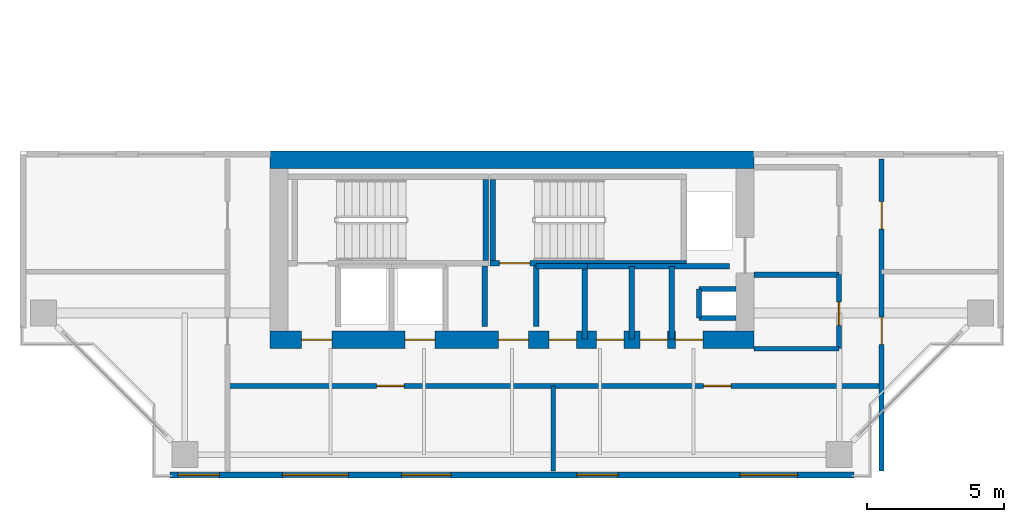
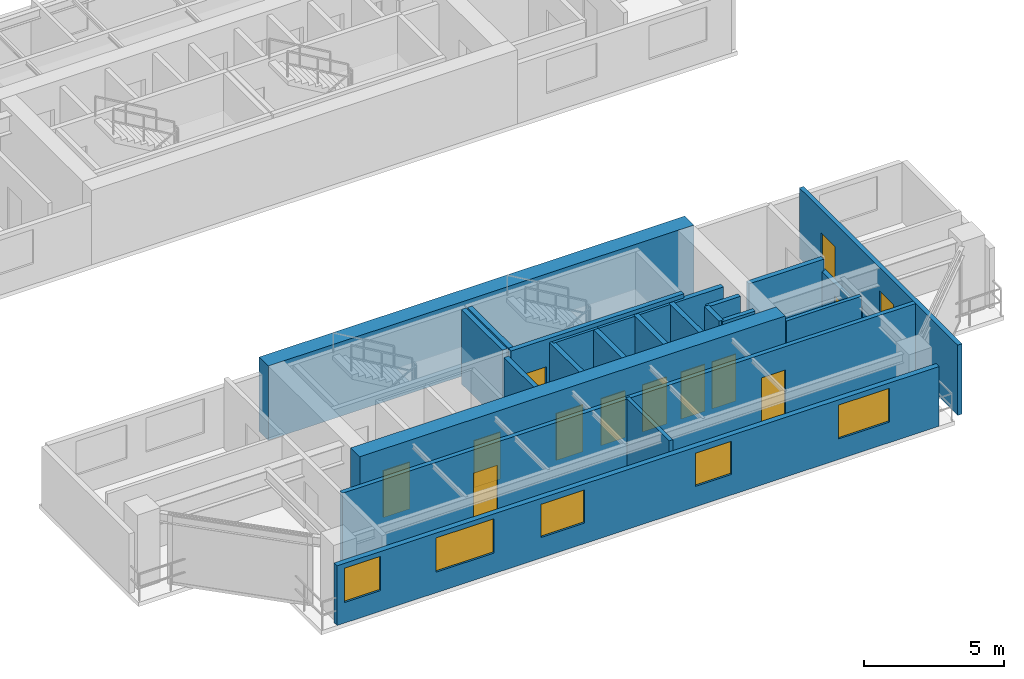
# One storey, part 7 of 12: 22 walls, 13 doors, 5 windows, 18 openings.
"""IFC4 building model written with IfcOpenShell, lengths in metres."""

from ifc_helpers import new_model, si_unit, direction, frame, frame_2d, origin, place, context, subcontext, project, spatial, rectangle, extrude, source, transform, mapped, material, layer, layer_set, type_object, element, fill, save


model = new_model("IFC4")

# Units and contexts
model_context = context("Model", 3, precision=1e-05, world=origin(), true_north=direction((0.0, 1.0)))
body_context = subcontext(model_context, "Body", "Model", "MODEL_VIEW")
ifc_project = project(units=[si_unit("LENGTHUNIT", "METRE"), si_unit("AREAUNIT", "SQUARE_METRE"), si_unit("VOLUMEUNIT", "CUBIC_METRE"), si_unit("PLANEANGLEUNIT", "RADIAN"), si_unit("MASSUNIT", "GRAM", prefix="KILO"), si_unit("THERMODYNAMICTEMPERATUREUNIT", "KELVIN"), si_unit("POWERUNIT", "WATT")], contexts=[model_context])

# Site, building, storey
site_placement = place(None, origin())
site = spatial("IfcSite", under=ifc_project, at=site_placement, CompositionType="ELEMENT")
building_placement = place(site_placement, origin())
building = spatial("IfcBuilding", under=site, at=building_placement, Name="Qiaomeng Ring Towers", CompositionType="ELEMENT")
storey_placement = place(building_placement, frame((0.0, 0.0, 163.25)))
storey = spatial("IfcBuildingStorey", under=building, at=storey_placement, Name="L47", CompositionType="ELEMENT", Elevation=163.25)

# Wall, openings, windows
ifc_material_1 = material(Name="Precast concrete C40", Category="concrete")
ifc_layer_1 = layer(ifc_material_1, 0.219970703125, Name="Precast concrete C40")
ifc_layer_set_1 = layer_set([ifc_layer_1], Name="Precast concrete C40")
wall_type_1 = type_object("IfcWallType", Name="ARC-WL-EW2", PredefinedType="STANDARD", material=ifc_layer_set_1)
wall_1_placement = place(storey_placement, frame((6.550048828125, 5.2099609375, 0.0), z_axis=(0.0, 0.0, 1.0), x_axis=(1.0, 0.0, 0.0)))
wall_1 = element("IfcWall", 1, at=wall_1_placement, inside=storey, type_object=wall_type_1, Name="L47 Tower 1 S Exterior Wall", PredefinedType="STANDARD", context=body_context, shape_type="SweptSolid", body=[
    extrude(rectangle(XDim=24.89990234375, YDim=0.219970703125, at=frame_2d((12.449951171875, 0.0))), origin(), (0.0, 0.0, 1.0), 2.610107421875),
])
opening_1_placement = place(wall_1_placement, frame((0.300048828125, 0.0, 0.89990234375)))
opening_1 = element("IfcOpeningElement", 2, at=opening_1_placement, cuts=wall_1, Name="Opening WN2", PredefinedType="OPENING", context=body_context, shape_type="SweptSolid", body=[
    extrude(rectangle(XDim=1.5, YDim=1.5, at=frame_2d((0.75, 0.75))), frame((0.0, 0.119873046875, 0.0), z_axis=(0.0, -1.0, 0.0), x_axis=(1.0, 0.0, 0.0)), (0.0, 0.0, 1.0), 0.239990234375),
])
opening_2_placement = place(wall_1_placement, frame((8.43798828125, 0.0, 0.89990234375)))
opening_2 = element("IfcOpeningElement", 3, at=opening_2_placement, cuts=wall_1, Name="Opening WN1", PredefinedType="OPENING", context=body_context, shape_type="SweptSolid", body=[
    extrude(rectangle(XDim=1.800048828125, YDim=1.449951171875, at=frame_2d((0.89990234375, 0.72509765625))), frame((0.0, 0.119873046875, 0.0), z_axis=(0.0, -1.0, 0.0), x_axis=(1.0, 0.0, 0.0)), (0.0, 0.0, 1.0), 0.239990234375),
])
opening_3_placement = place(wall_1_placement, frame((14.81298828125, 0.0, 0.89990234375)))
opening_3 = element("IfcOpeningElement", 4, at=opening_3_placement, cuts=wall_1, Name="Opening WN2", PredefinedType="OPENING", context=body_context, shape_type="SweptSolid", body=[
    extrude(rectangle(XDim=1.5, YDim=1.449951171875, at=frame_2d((0.75, 0.72509765625))), frame((0.0, 0.119873046875, 0.0), z_axis=(0.0, -1.0, 0.0), x_axis=(1.0, 0.0, 0.0)), (0.0, 0.0, 1.0), 0.239990234375),
])
opening_4_placement = place(wall_1_placement, frame((20.738037109375, 0.0, 0.89990234375)))
opening_4 = element("IfcOpeningElement", 5, at=opening_4_placement, cuts=wall_1, Name="Opening WN4", PredefinedType="OPENING", context=body_context, shape_type="SweptSolid", body=[
    extrude(rectangle(XDim=2.10009765625, YDim=1.47998046875, at=frame_2d((1.050048828125, 0.739990234375))), frame((0.0, 0.119873046875, 0.0), z_axis=(0.0, -1.0, 0.0), x_axis=(1.0, 0.0, 0.0)), (0.0, 0.0, 1.0), 0.239990234375),
])
opening_5_placement = place(wall_1_placement, frame((4.093994140625, 0.0, 0.89990234375)))
opening_5 = element("IfcOpeningElement", 6, at=opening_5_placement, cuts=wall_1, Name="Opening WN6", PredefinedType="OPENING", context=body_context, shape_type="SweptSolid", body=[
    extrude(rectangle(XDim=2.39990234375, YDim=1.5, at=frame_2d((1.199951171875, 0.75))), frame((0.0, 0.119873046875, 0.0), z_axis=(0.0, -1.0, 0.0), x_axis=(1.0, 0.0, 0.0)), (0.0, 0.0, 1.0), 0.239990234375),
])
ifc_material_2 = material(Name="Low-E dark-grey laminated double glazing", Category="glass")
window_type_1 = type_object("IfcWindowType", Name="ARC-WN-2", PartitioningType="DOUBLE_PANEL_VERTICAL", PredefinedType="WINDOW", material=ifc_material_2)
shared_shape_1 = source(origin(), body_context, "Body", "SweptSolid", [
    extrude(rectangle(XDim=1.5, YDim=1.449951171875, at=frame_2d((0.75, 0.72509765625))), frame((0.0, 0.030029296875, 0.0), z_axis=(0.0, -1.0, 0.0), x_axis=(1.0, 0.0, 0.0)), (0.0, 0.0, 1.0), 0.06005859375),
])
window_1_placement = place(opening_3_placement, origin())
window_1 = element("IfcWindow", 7, at=window_1_placement, inside=storey, type_object=window_type_1, Name="L47 Exterior Window WN2", OverallHeight=1.449951171875, OverallWidth=1.5, PartitioningType="DOUBLE_PANEL_VERTICAL", PredefinedType="WINDOW", context=body_context, shape_type="MappedRepresentation", body=[
    mapped(shared_shape_1, transform((0.0, 0.0, 0.0), x_axis=(1.0, 0.0, 0.0), y_axis=(0.0, 1.0, 0.0), z_axis=(0.0, 0.0, 1.0), scale=1.0)),
])
fill(opening_3, window_1)
window_type_2 = type_object("IfcWindowType", Name="ARC-WN-4", PartitioningType="TRIPLE_PANEL_VERTICAL", PredefinedType="WINDOW", material=ifc_material_2)
shared_shape_2 = source(origin(), body_context, "Body", "SweptSolid", [
    extrude(rectangle(XDim=2.10009765625, YDim=1.47998046875, at=frame_2d((1.050048828125, 0.739990234375))), frame((0.0, 0.030029296875, 0.0), z_axis=(0.0, -1.0, 0.0), x_axis=(1.0, 0.0, 0.0)), (0.0, 0.0, 1.0), 0.06005859375),
])
window_2_placement = place(opening_4_placement, origin())
window_2 = element("IfcWindow", 8, at=window_2_placement, inside=storey, type_object=window_type_2, Name="L47 Exterior Window WN4", OverallHeight=1.47998046875, OverallWidth=2.10009765625, PartitioningType="TRIPLE_PANEL_VERTICAL", PredefinedType="WINDOW", context=body_context, shape_type="MappedRepresentation", body=[
    mapped(shared_shape_2, transform((0.0, 0.0, 0.0), x_axis=(1.0, 0.0, 0.0), y_axis=(0.0, 1.0, 0.0), z_axis=(0.0, 0.0, 1.0), scale=1.0)),
])
fill(opening_4, window_2)
window_type_3 = type_object("IfcWindowType", Name="ARC-WN-1", PartitioningType="DOUBLE_PANEL_VERTICAL", PredefinedType="WINDOW", material=ifc_material_2)
shared_shape_3 = source(origin(), body_context, "Body", "SweptSolid", [
    extrude(rectangle(XDim=1.800048828125, YDim=1.449951171875, at=frame_2d((0.89990234375, 0.72509765625))), frame((0.0, 0.030029296875, 0.0), z_axis=(0.0, -1.0, 0.0), x_axis=(1.0, 0.0, 0.0)), (0.0, 0.0, 1.0), 0.06005859375),
])
window_3_placement = place(opening_2_placement, origin())
window_3 = element("IfcWindow", 9, at=window_3_placement, inside=storey, type_object=window_type_3, Name="L47 Exterior Window WN1", OverallHeight=1.449951171875, OverallWidth=1.800048828125, PartitioningType="DOUBLE_PANEL_VERTICAL", PredefinedType="WINDOW", context=body_context, shape_type="MappedRepresentation", body=[
    mapped(shared_shape_3, transform((0.0, 0.0, 0.0), x_axis=(1.0, 0.0, 0.0), y_axis=(0.0, 1.0, 0.0), z_axis=(0.0, 0.0, 1.0), scale=1.0)),
])
fill(opening_2, window_3)
shared_shape_4 = source(origin(), body_context, "Body", "SweptSolid", [
    extrude(rectangle(XDim=1.5, YDim=1.5, at=frame_2d((0.75, 0.75))), frame((0.0, 0.030029296875, 0.0), z_axis=(0.0, -1.0, 0.0), x_axis=(1.0, 0.0, 0.0)), (0.0, 0.0, 1.0), 0.06005859375),
])
window_4_placement = place(opening_1_placement, origin())
window_4 = element("IfcWindow", 10, at=window_4_placement, inside=storey, type_object=window_type_1, Name="L47 Exterior Window WN6", OverallHeight=1.5, OverallWidth=1.5, PartitioningType="TRIPLE_PANEL_VERTICAL", PredefinedType="WINDOW", context=body_context, shape_type="MappedRepresentation", body=[
    mapped(shared_shape_4, transform((0.0, 0.0, 0.0), x_axis=(1.0, 0.0, 0.0), y_axis=(0.0, 1.0, 0.0), z_axis=(0.0, 0.0, 1.0), scale=1.0)),
])
fill(opening_1, window_4)
window_type_4 = type_object("IfcWindowType", Name="ARC-WN-6", PartitioningType="TRIPLE_PANEL_VERTICAL", PredefinedType="WINDOW", material=ifc_material_2)
shared_shape_5 = source(origin(), body_context, "Body", "SweptSolid", [
    extrude(rectangle(XDim=2.39990234375, YDim=1.5, at=frame_2d((1.199951171875, 0.75))), frame((0.0, 0.030029296875, 0.0), z_axis=(0.0, -1.0, 0.0), x_axis=(1.0, 0.0, 0.0)), (0.0, 0.0, 1.0), 0.06005859375),
])
window_5_placement = place(opening_5_placement, origin())
window_5 = element("IfcWindow", 11, at=window_5_placement, inside=storey, type_object=window_type_4, Name="L47 Exterior Window WN6", OverallHeight=1.5, OverallWidth=2.39990234375, PartitioningType="TRIPLE_PANEL_VERTICAL", PredefinedType="WINDOW", context=body_context, shape_type="MappedRepresentation", body=[
    mapped(shared_shape_5, transform((0.0, 0.0, 0.0), x_axis=(1.0, 0.0, 0.0), y_axis=(0.0, 1.0, 0.0), z_axis=(0.0, 0.0, 1.0), scale=1.0)),
])
fill(opening_5, window_5)

# Walls
ifc_material_3 = material(Name="Autoclaved aerated concrete block", Category="concrete")
ifc_layer_2 = layer(ifc_material_3, 0.199951171875, Name="Autoclaved aerated concrete block")
ifc_layer_set_2 = layer_set([ifc_layer_2], Name="Autoclaved aerated concrete block")
wall_type_2 = type_object("IfcWallType", Name="ARC-WL-PW1", PredefinedType="PARTITIONING", material=ifc_layer_set_2)
wall_2_placement = place(storey_placement, frame((27.800048828125, 12.5, 0.0), z_axis=(0.0, 0.0, 1.0), x_axis=(1.0, 0.0, 0.0)))
element("IfcWall", 12, at=wall_2_placement, inside=storey, type_object=wall_type_2, Name="L47 Interior Wall PW1", PredefinedType="PARTITIONING", context=body_context, shape_type="SweptSolid", body=[
    extrude(rectangle(XDim=3.099853515625, YDim=0.199951171875, at=frame_2d((1.5498046875, 0.0))), origin(), (0.0, 0.0, 1.0), 3.070068359375),
])
for number, where, z_axis, x_axis, name in (
    (13, (18.0, 10.60009765625, 0.0), (0.0, 0.0, 1.0), (0.0, 1.0, 0.0), "L47 Interior Wall PW1"),
    (14, (19.8798828125, 10.60009765625, 0.0), (0.0, 0.0, 1.0), (0.0, 1.0, 0.0), "L47 Interior Wall PW1"),
):
    element("IfcWall", number, at=place(storey_placement, frame(where, z_axis=z_axis, x_axis=x_axis)), inside=storey, type_object=wall_type_2, Name=name, PredefinedType="PARTITIONING", context=body_context, shape_type="SweptSolid", body=[
        extrude(rectangle(XDim=2.2099609375, YDim=0.199951171875, at=frame_2d((1.10498046875, 0.0))), origin(), (0.0, 0.0, 1.0), 3.070068359375),
    ])
wall_3_placement = place(storey_placement, frame((24.820068359375, 10.14990234375, 0.0), z_axis=(0.0, 0.0, 1.0), x_axis=(0.0, 1.0, 0.0)))
element("IfcWall", 15, at=wall_3_placement, inside=storey, type_object=wall_type_2, Name="L47 Interior Wall PW1", PredefinedType="PARTITIONING", context=body_context, shape_type="SweptSolid", body=[
    extrude(rectangle(XDim=2.650146484375, YDim=0.199951171875, at=frame_2d((1.3251953125, 0.0))), origin(), (0.0, 0.0, 1.0), 3.070068359375),
])
wall_4_placement = place(storey_placement, frame((19.8798828125, 12.800048828125, 0.0), z_axis=(0.0, 0.0, 1.0), x_axis=(1.0, 0.0, 0.0)))
element("IfcWall", 16, at=wall_4_placement, inside=storey, type_object=wall_type_2, Name="L47 Interior Wall PW1", PredefinedType="PARTITIONING", context=body_context, shape_type="SweptSolid", body=[
    extrude(rectangle(XDim=1.8701171875, YDim=0.199951171875, at=frame_2d((0.93505859375, 0.0))), origin(), (0.0, 0.0, 1.0), 3.070068359375),
])
for number, where, z_axis, x_axis, name in (
    (17, (21.639892578125, 10.14990234375, 0.0), (0.0, 0.0, 1.0), (0.0, 1.0, 0.0), "L47 Interior Wall PW1"),
    (18, (23.35009765625, 10.14990234375, 0.0), (0.0, 0.0, 1.0), (0.0, 1.0, 0.0), "L47 Interior Wall PW1"),
):
    element("IfcWall", number, at=place(storey_placement, frame(where, z_axis=z_axis, x_axis=x_axis)), inside=storey, type_object=wall_type_2, Name=name, PredefinedType="PARTITIONING", context=body_context, shape_type="SweptSolid", body=[
        extrude(rectangle(XDim=2.650146484375, YDim=0.199951171875, at=frame_2d((1.3251953125, 0.0))), origin(), (0.0, 0.0, 1.0), 3.070068359375),
    ])
wall_5_placement = place(storey_placement, frame((21.75, 12.800048828125, 0.0), z_axis=(0.0, 0.0, 1.0), x_axis=(1.0, 0.0, 0.0)))
element("IfcWall", 19, at=wall_5_placement, inside=storey, type_object=wall_type_2, Name="L47 Interior Wall PW1", PredefinedType="PARTITIONING", context=body_context, shape_type="SweptSolid", body=[
    extrude(rectangle(XDim=5.169921875, YDim=0.199951171875, at=frame_2d((2.5849609375, 0.0))), origin(), (0.0, 0.0, 1.0), 3.070068359375),
])

# Wall, opening, door
ifc_layer_3 = layer(ifc_material_3, 0.179931640625, Name="Autoclaved aerated concrete block")
ifc_layer_set_3 = layer_set([ifc_layer_3], Name="Autoclaved aerated concrete block")
wall_type_3 = type_object("IfcWallType", Name="ARC-WL-PW2", PredefinedType="PARTITIONING", material=ifc_layer_set_3)
wall_6_placement = place(storey_placement, frame((30.89990234375, 9.800048828125, 0.0), z_axis=(0.0, 0.0, 1.0), x_axis=(0.0, 1.0, 0.0)))
wall_6 = element("IfcWall", 20, at=wall_6_placement, inside=storey, type_object=wall_type_3, Name="L47 Interior Wall PW2", PredefinedType="PARTITIONING", context=body_context, shape_type="SweptSolid", body=[
    extrude(rectangle(XDim=2.699951171875, YDim=0.179931640625, at=frame_2d((1.35009765625, 0.0))), origin(), (0.0, 0.0, 1.0), 2.56494140625),
])
opening_6_placement = place(wall_6_placement, frame((0.85009765625, 0.0, 0.0)))
opening_6 = element("IfcOpeningElement", 21, at=opening_6_placement, cuts=wall_6, Name="Opening ID2", PredefinedType="OPENING", context=body_context, shape_type="SweptSolid", body=[
    extrude(rectangle(XDim=0.85009765625, YDim=2.050048828125, at=frame_2d((0.425048828125, 1.02490234375))), frame((0.0, 0.099853515625, 0.0), z_axis=(0.0, -1.0, 0.0), x_axis=(1.0, 0.0, 0.0)), (0.0, 0.0, 1.0), 0.199951171875),
])
ifc_material_4 = material(Name="Moisture-resistant engineered timber", Category="wood")
door_type_1 = type_object("IfcDoorType", Name="ARC-DR-ID2", OperationType="NOTDEFINED", PredefinedType="DOOR", material=ifc_material_4)
shared_shape_6 = source(origin(), body_context, "Body", "SweptSolid", [
    extrude(rectangle(XDim=0.85009765625, YDim=2.050048828125, at=frame_2d((0.425048828125, 1.02490234375))), frame((0.0, 0.02490234375, 0.0), z_axis=(0.0, -1.0, 0.0), x_axis=(1.0, 0.0, 0.0)), (0.0, 0.0, 1.0), 0.050048828125),
])
door_1_placement = place(opening_6_placement, origin())
door_1 = element("IfcDoor", 22, at=door_1_placement, inside=storey, type_object=door_type_1, Name="L47 Door ID2", OperationType="SINGLE_SWING_RIGHT", OverallHeight=2.050048828125, OverallWidth=0.85009765625, PredefinedType="DOOR", context=body_context, shape_type="MappedRepresentation", body=[
    mapped(shared_shape_6, transform((0.0, 0.0, 0.0), x_axis=(1.0, 0.0, 0.0), y_axis=(0.0, 1.0, 0.0), z_axis=(0.0, 0.0, 1.0), scale=1.0)),
])
fill(opening_6, door_1)

# Wall, openings, doors
wall_7_placement = place(storey_placement, frame((32.449951171875, 5.35009765625, 0.0), z_axis=(0.0, 0.0, 1.0), x_axis=(0.0, 1.0, 0.0)))
wall_7 = element("IfcWall", 23, at=wall_7_placement, inside=storey, type_object=wall_type_3, Name="L47 Interior Wall PW2", PredefinedType="PARTITIONING", context=body_context, shape_type="SweptSolid", body=[
    extrude(rectangle(XDim=11.349853515625, YDim=0.179931640625, at=frame_2d((5.6748046875, 0.0))), origin(), (0.0, 0.0, 1.0), 3.070068359375),
])
opening_7_placement = place(wall_7_placement, frame((4.60009765625, 0.0, 0.0)))
opening_7 = element("IfcOpeningElement", 24, at=opening_7_placement, cuts=wall_7, Name="Opening FD4", PredefinedType="OPENING", context=body_context, shape_type="SweptSolid", body=[
    extrude(rectangle(XDim=1.0, YDim=2.050048828125, at=frame_2d((0.5, 1.02490234375))), frame((0.0, 0.099853515625, 0.0), z_axis=(0.0, -1.0, 0.0), x_axis=(1.0, 0.0, 0.0)), (0.0, 0.0, 1.0), 0.199951171875),
])
opening_8_placement = place(wall_7_placement, frame((8.800048828125, 0.0, 0.0)))
opening_8 = element("IfcOpeningElement", 25, at=opening_8_placement, cuts=wall_7, Name="Opening FD4", PredefinedType="OPENING", context=body_context, shape_type="SweptSolid", body=[
    extrude(rectangle(XDim=1.0, YDim=2.050048828125, at=frame_2d((0.5, 1.02490234375))), frame((0.0, 0.099853515625, 0.0), z_axis=(0.0, -1.0, 0.0), x_axis=(1.0, 0.0, 0.0)), (0.0, 0.0, 1.0), 0.199951171875),
])
ifc_material_5 = material(Name="Engineered fire-rated oak timber", Category="wood")
door_type_2 = type_object("IfcDoorType", Name="ARC-DR-FD4", OperationType="NOTDEFINED", PredefinedType="DOOR", material=ifc_material_5)
shared_shape_7 = source(origin(), body_context, "Body", "SweptSolid", [
    extrude(rectangle(XDim=1.0, YDim=2.050048828125, at=frame_2d((0.5, 1.02490234375))), frame((0.0, 0.02490234375, 0.0), z_axis=(0.0, -1.0, 0.0), x_axis=(1.0, 0.0, 0.0)), (0.0, 0.0, 1.0), 0.050048828125),
])
door_2_placement = place(opening_7_placement, origin())
door_2 = element("IfcDoor", 26, at=door_2_placement, inside=storey, type_object=door_type_2, Name="L47 Door FD4", OperationType="SINGLE_SWING_LEFT", OverallHeight=2.050048828125, OverallWidth=1.0, PredefinedType="DOOR", context=body_context, shape_type="MappedRepresentation", body=[
    mapped(shared_shape_7, transform((0.0, 0.0, 0.0), x_axis=(1.0, 0.0, 0.0), y_axis=(0.0, 1.0, 0.0), z_axis=(0.0, 0.0, 1.0), scale=1.0)),
])
fill(opening_7, door_2)
door_3_placement = place(opening_8_placement, origin())
door_3 = element("IfcDoor", 27, at=door_3_placement, inside=storey, type_object=door_type_2, Name="L47 Door FD4", OperationType="SINGLE_SWING_RIGHT", OverallHeight=2.050048828125, OverallWidth=1.0, PredefinedType="DOOR", context=body_context, shape_type="MappedRepresentation", body=[
    mapped(shared_shape_7, transform((0.0, 0.0, 0.0), x_axis=(1.0, 0.0, 0.0), y_axis=(0.0, 1.0, 0.0), z_axis=(0.0, 0.0, 1.0), scale=1.0)),
])
fill(opening_8, door_3)

wall_8_placement = place(storey_placement, frame((8.64990234375, 8.449951171875, 0.0), z_axis=(0.0, 0.0, 1.0), x_axis=(1.0, 0.0, 0.0)))
wall_8 = element("IfcWall", 28, at=wall_8_placement, inside=storey, type_object=wall_type_3, Name="L47 Interior Wall PW2", PredefinedType="PARTITIONING", context=body_context, shape_type="SweptSolid", body=[
    extrude(rectangle(XDim=23.800048828125, YDim=0.179931640625, at=frame_2d((11.89990234375, 0.0))), origin(), (0.0, 0.0, 1.0), 3.070068359375),
])
opening_9_placement = place(wall_8_placement, frame((5.425048828125, 0.0, 0.0)))
opening_9 = element("IfcOpeningElement", 29, at=opening_9_placement, cuts=wall_8, Name="Opening FD4", PredefinedType="OPENING", context=body_context, shape_type="SweptSolid", body=[
    extrude(rectangle(XDim=1.0, YDim=2.050048828125, at=frame_2d((0.5, 1.02490234375))), frame((0.0, 0.099853515625, 0.0), z_axis=(0.0, -1.0, 0.0), x_axis=(1.0, 0.0, 0.0)), (0.0, 0.0, 1.0), 0.199951171875),
])
opening_10_placement = place(wall_8_placement, frame((17.324951171875, 0.0, 0.0)))
opening_10 = element("IfcOpeningElement", 30, at=opening_10_placement, cuts=wall_8, Name="Opening FD4", PredefinedType="OPENING", context=body_context, shape_type="SweptSolid", body=[
    extrude(rectangle(XDim=1.0, YDim=2.050048828125, at=frame_2d((0.5, 1.02490234375))), frame((0.0, 0.099853515625, 0.0), z_axis=(0.0, -1.0, 0.0), x_axis=(1.0, 0.0, 0.0)), (0.0, 0.0, 1.0), 0.199951171875),
])
door_4_placement = place(opening_9_placement, origin())
door_4 = element("IfcDoor", 31, at=door_4_placement, inside=storey, type_object=door_type_2, Name="L47 Door FD4", OperationType="SINGLE_SWING_LEFT", OverallHeight=2.050048828125, OverallWidth=1.0, PredefinedType="DOOR", context=body_context, shape_type="MappedRepresentation", body=[
    mapped(shared_shape_7, transform((0.0, 0.0, 0.0), x_axis=(1.0, 0.0, 0.0), y_axis=(0.0, 1.0, 0.0), z_axis=(0.0, 0.0, 1.0), scale=1.0)),
])
fill(opening_9, door_4)
door_5_placement = place(opening_10_placement, origin())
door_5 = element("IfcDoor", 32, at=door_5_placement, inside=storey, type_object=door_type_2, Name="L47 Door FD4", OperationType="SINGLE_SWING_RIGHT", OverallHeight=2.050048828125, OverallWidth=1.0, PredefinedType="DOOR", context=body_context, shape_type="MappedRepresentation", body=[
    mapped(shared_shape_7, transform((0.0, 0.0, 0.0), x_axis=(1.0, 0.0, 0.0), y_axis=(0.0, 1.0, 0.0), z_axis=(0.0, 0.0, 1.0), scale=1.0)),
])
fill(opening_10, door_5)

# Walls
ifc_material_6 = material(Name="Gypsum fireboard steel-stud partition", Category="steel")
ifc_layer_4 = layer(ifc_material_6, 0.14990234375, Name="Gypsum fireboard steel-stud partition")
ifc_layer_set_4 = layer_set([ifc_layer_4], Name="Gypsum fireboard steel-stud partition")
wall_type_4 = type_object("IfcWallType", Name="ARC-WL-PW3", PredefinedType="PARTITIONING", material=ifc_layer_set_4)
for number, where, z_axis, x_axis, name in (
    (33, (27.800048828125, 9.800048828125, 0.0), (0.0, 0.0, 1.0), (1.0, 0.0, 0.0), "L47 Interior Wall PW3"),
    (34, (20.5, 5.35009765625, 0.0), (0.0, 0.0, 1.0), (0.0, 1.0, 0.0), "L47 Interior Wall PW3"),
):
    element("IfcWall", number, at=place(storey_placement, frame(where, z_axis=z_axis, x_axis=x_axis)), inside=storey, type_object=wall_type_4, Name=name, PredefinedType="PARTITIONING", context=body_context, shape_type="SweptSolid", body=[
        extrude(rectangle(XDim=3.099853515625, YDim=0.14990234375, at=frame_2d((1.5498046875, 0.0))), origin(), (0.0, 0.0, 1.0), 3.070068359375),
    ])
ifc_material_7 = material(Name="Concrete C40", Category="concrete")
ifc_layer_5 = layer(ifc_material_7, 0.199951171875, Name="Concrete C40")
ifc_layer_set_5 = layer_set([ifc_layer_5], Name="Concrete C40")
wall_type_5 = type_object("IfcWallType", Name="STR-WL-STSHAFT", PredefinedType="SHEAR", material=ifc_layer_set_5)
wall_9_placement = place(storey_placement, frame((25.800048828125, 10.919921875, 0.0), z_axis=(0.0, 0.0, 1.0), x_axis=(0.0, 1.0, 0.0)))
element("IfcWall", 35, at=wall_9_placement, inside=storey, type_object=wall_type_5, Name="L47 Riser RSR1 West Shaft Wall S", PredefinedType="SHEAR", context=body_context, shape_type="SweptSolid", body=[
    extrude(rectangle(XDim=1.06005859375, YDim=0.179931640625, at=frame_2d((0.530029296875, 0.0))), origin(), (0.0, 0.0, 1.0), 3.070068359375),
])
for number, where, z_axis, x_axis, name in (
    (36, (25.800048828125, 11.97998046875, 0.0), (0.0, 0.0, 1.0), (1.0, 0.0, 0.0), "L47 Riser RSR1 North Shaft Wall S"),
    (37, (25.800048828125, 10.919921875, 0.0), (0.0, 0.0, 1.0), (1.0, 0.0, 0.0), "L47 Riser RSR1 South Shaft Wall S"),
):
    element("IfcWall", number, at=place(storey_placement, frame(where, z_axis=z_axis, x_axis=x_axis)), inside=storey, type_object=wall_type_5, Name=name, PredefinedType="SHEAR", context=body_context, shape_type="SweptSolid", body=[
        extrude(rectangle(XDim=1.349853515625, YDim=0.179931640625, at=frame_2d((0.6748046875, 0.0))), origin(), (0.0, 0.0, 1.0), 3.070068359375),
    ])
wall_10_placement = place(storey_placement, frame((18.050048828125, 13.010009765625, 0.0), z_axis=(0.0, 0.0, 1.0), x_axis=(0.0, 1.0, 0.0)))
element("IfcWall", 38, at=wall_10_placement, inside=storey, type_object=wall_type_5, Name="L47 Stair ST3 East Shaft Shear Wall", PredefinedType="SHEAR", context=body_context, shape_type="SweptSolid", body=[
    extrude(rectangle(XDim=2.93994140625, YDim=0.199951171875, at=frame_2d((1.469970703125, 0.0))), origin(), (0.0, 0.0, 1.0), 3.25),
])

# Wall, opening, door
wall_11_placement = place(storey_placement, frame((18.199951171875, 12.909912109375, 0.0), z_axis=(0.0, 0.0, 1.0), x_axis=(1.0, 0.0, 0.0)))
wall_11 = element("IfcWall", 39, at=wall_11_placement, inside=storey, type_object=wall_type_5, Name="L47 Stair ST4 South Shaft Shear Wall", PredefinedType="SHEAR", context=body_context, shape_type="SweptSolid", body=[
    extrude(rectangle(XDim=7.150146484375, YDim=0.199951171875, at=frame_2d((3.5751953125, 0.0))), origin(), (0.0, 0.0, 1.0), 3.25),
])
opening_11_placement = place(wall_11_placement, frame((0.35009765625, 0.0, 0.0)))
opening_11 = element("IfcOpeningElement", 40, at=opening_11_placement, cuts=wall_11, Name="Opening FD3", PredefinedType="OPENING", context=body_context, shape_type="SweptSolid", body=[
    extrude(rectangle(XDim=1.10009765625, YDim=2.050048828125, at=frame_2d((0.550048828125, 1.02490234375))), frame((0.0, 0.10986328125, 0.0), z_axis=(0.0, -1.0, 0.0), x_axis=(1.0, 0.0, 0.0)), (0.0, 0.0, 1.0), 0.219970703125),
])
ifc_material_8 = material(Name="Galvanised steel", Category="steel")
door_type_3 = type_object("IfcDoorType", Name="ARC-DR-FD3", OperationType="NOTDEFINED", PredefinedType="DOOR", material=ifc_material_8)
shared_shape_8 = source(origin(), body_context, "Body", "SweptSolid", [
    extrude(rectangle(XDim=1.10009765625, YDim=2.050048828125, at=frame_2d((0.550048828125, 1.02490234375))), frame((0.0, 0.02490234375, 0.0), z_axis=(0.0, -1.0, 0.0), x_axis=(1.0, 0.0, 0.0)), (0.0, 0.0, 1.0), 0.050048828125),
])
door_6_placement = place(opening_11_placement, frame((1.10009765625, 0.0, 0.0), z_axis=(0.0, 0.0, 1.0), x_axis=(-1.0, 0.0, 0.0)))
door_6 = element("IfcDoor", 41, at=door_6_placement, inside=storey, type_object=door_type_3, Name="L47 Stair ST4 Exit Door", OperationType="SINGLE_SWING_RIGHT", OverallHeight=2.050048828125, OverallWidth=1.10009765625, PredefinedType="DOOR", context=body_context, shape_type="MappedRepresentation", body=[
    mapped(shared_shape_8, transform((0.0, 0.0, 0.0), x_axis=(1.0, 0.0, 0.0), y_axis=(0.0, 1.0, 0.0), z_axis=(0.0, 0.0, 1.0), scale=1.0)),
])
fill(opening_11, door_6)

# Wall
wall_12_placement = place(storey_placement, frame((18.300048828125, 13.010009765625, 0.0), z_axis=(0.0, 0.0, 1.0), x_axis=(0.0, 1.0, 0.0)))
element("IfcWall", 42, at=wall_12_placement, inside=storey, type_object=wall_type_5, Name="L47 Stair ST4 West Shaft Shear Wall", PredefinedType="SHEAR", context=body_context, shape_type="SweptSolid", body=[
    extrude(rectangle(XDim=2.93994140625, YDim=0.199951171875, at=frame_2d((1.469970703125, 0.0))), origin(), (0.0, 0.0, 1.0), 3.25),
])

# Wall, openings, doors
ifc_material_9 = material(Name="Concrete C50", Category="concrete")
ifc_layer_6 = layer(ifc_material_9, 0.64990234375, Name="Concrete C50")
ifc_layer_set_6 = layer_set([ifc_layer_6], Name="Concrete C50")
wall_type_6 = type_object("IfcWallType", Name="STR-WL-SW2B", PredefinedType="SHEAR", material=ifc_layer_set_6)
wall_13_placement = place(storey_placement, frame((10.199951171875, 10.125, 0.0), z_axis=(0.0, 0.0, 1.0), x_axis=(1.0, 0.0, 0.0)))
wall_13 = element("IfcWall", 43, at=wall_13_placement, inside=storey, type_object=wall_type_6, Name="L47 T1SC south core shear wall", PredefinedType="SHEAR", context=body_context, shape_type="SweptSolid", body=[
    extrude(rectangle(XDim=17.60009765625, YDim=0.64990234375, at=frame_2d((8.800048828125, 0.0))), origin(), (0.0, 0.0, 1.0), 3.25),
])
opening_12_placement = place(wall_13_placement, frame((1.14990234375, 0.0, 0.0)))
opening_12 = element("IfcOpeningElement", 44, at=opening_12_placement, cuts=wall_13, Name="Opening FD3", PredefinedType="OPENING", context=body_context, shape_type="SweptSolid", body=[
    extrude(rectangle(XDim=1.10009765625, YDim=2.050048828125, at=frame_2d((0.550048828125, 1.02490234375))), frame((0.0, 0.3349609375, 0.0), z_axis=(0.0, -1.0, 0.0), x_axis=(1.0, 0.0, 0.0)), (0.0, 0.0, 1.0), 0.669921875),
])
opening_13_placement = place(wall_13_placement, frame((8.300048828125, 0.0, 0.0)))
opening_13 = element("IfcOpeningElement", 45, at=opening_13_placement, cuts=wall_13, Name="Opening FD3", PredefinedType="OPENING", context=body_context, shape_type="SweptSolid", body=[
    extrude(rectangle(XDim=1.10009765625, YDim=2.050048828125, at=frame_2d((0.550048828125, 1.02490234375))), frame((0.0, 0.3349609375, 0.0), z_axis=(0.0, -1.0, 0.0), x_axis=(1.0, 0.0, 0.0)), (0.0, 0.0, 1.0), 0.669921875),
])
opening_14_placement = place(wall_13_placement, frame((4.89990234375, 0.0, 0.0)))
opening_14 = element("IfcOpeningElement", 46, at=opening_14_placement, cuts=wall_13, Name="Opening LD1", PredefinedType="OPENING", context=body_context, shape_type="SweptSolid", body=[
    extrude(rectangle(XDim=1.10009765625, YDim=2.050048828125, at=frame_2d((0.550048828125, 1.02490234375))), frame((0.0, 0.3349609375, 0.0), z_axis=(0.0, -1.0, 0.0), x_axis=(1.0, 0.0, 0.0)), (0.0, 0.0, 1.0), 0.669921875),
])
opening_15_placement = place(wall_13_placement, frame((14.739990234375, 0.0, 0.0)))
opening_15 = element("IfcOpeningElement", 47, at=opening_15_placement, cuts=wall_13, Name="Opening FD1", PredefinedType="OPENING", context=body_context, shape_type="SweptSolid", body=[
    extrude(rectangle(XDim=1.0, YDim=2.050048828125, at=frame_2d((0.5, 1.02490234375))), frame((0.0, 0.3349609375, 0.0), z_axis=(0.0, -1.0, 0.0), x_axis=(1.0, 0.0, 0.0)), (0.0, 0.0, 1.0), 0.669921875),
])
opening_16_placement = place(wall_13_placement, frame((10.155029296875, 0.0, 0.0)))
opening_16 = element("IfcOpeningElement", 48, at=opening_16_placement, cuts=wall_13, Name="Opening FD1", PredefinedType="OPENING", context=body_context, shape_type="SweptSolid", body=[
    extrude(rectangle(XDim=1.0, YDim=2.050048828125, at=frame_2d((0.5, 1.02490234375))), frame((0.0, 0.3349609375, 0.0), z_axis=(0.0, -1.0, 0.0), x_axis=(1.0, 0.0, 0.0)), (0.0, 0.0, 1.0), 0.669921875),
])
opening_17_placement = place(wall_13_placement, frame((11.8701171875, 0.0, 0.0)))
opening_17 = element("IfcOpeningElement", 49, at=opening_17_placement, cuts=wall_13, Name="Opening FD1", PredefinedType="OPENING", context=body_context, shape_type="SweptSolid", body=[
    extrude(rectangle(XDim=1.0, YDim=2.050048828125, at=frame_2d((0.5, 1.02490234375))), frame((0.0, 0.3349609375, 0.0), z_axis=(0.0, -1.0, 0.0), x_axis=(1.0, 0.0, 0.0)), (0.0, 0.0, 1.0), 0.669921875),
])
opening_18_placement = place(wall_13_placement, frame((13.4599609375, 0.0, 0.0)))
opening_18 = element("IfcOpeningElement", 50, at=opening_18_placement, cuts=wall_13, Name="Opening FD1", PredefinedType="OPENING", context=body_context, shape_type="SweptSolid", body=[
    extrude(rectangle(XDim=1.0, YDim=2.050048828125, at=frame_2d((0.5, 1.02490234375))), frame((0.0, 0.3349609375, 0.0), z_axis=(0.0, -1.0, 0.0), x_axis=(1.0, 0.0, 0.0)), (0.0, 0.0, 1.0), 0.669921875),
])
door_7_placement = place(opening_12_placement, origin())
door_7 = element("IfcDoor", 51, at=door_7_placement, inside=storey, type_object=door_type_3, Name="L47 Stair ST3 Lobby Door", OperationType="SINGLE_SWING_LEFT", OverallHeight=2.050048828125, OverallWidth=1.10009765625, PredefinedType="DOOR", context=body_context, shape_type="MappedRepresentation", body=[
    mapped(shared_shape_8, transform((0.0, 0.0, 0.0), x_axis=(1.0, 0.0, 0.0), y_axis=(0.0, 1.0, 0.0), z_axis=(0.0, 0.0, 1.0), scale=1.0)),
])
fill(opening_12, door_7)
door_8_placement = place(opening_13_placement, origin())
door_8 = element("IfcDoor", 52, at=door_8_placement, inside=storey, type_object=door_type_3, Name="L47 Stair ST4 Lobby Door", OperationType="SINGLE_SWING_LEFT", OverallHeight=2.050048828125, OverallWidth=1.10009765625, PredefinedType="DOOR", context=body_context, shape_type="MappedRepresentation", body=[
    mapped(shared_shape_8, transform((0.0, 0.0, 0.0), x_axis=(1.0, 0.0, 0.0), y_axis=(0.0, 1.0, 0.0), z_axis=(0.0, 0.0, 1.0), scale=1.0)),
])
fill(opening_13, door_8)
ifc_material_10 = material(Name="Stainless steel 316", Category="steel")
door_type_4 = type_object("IfcDoorType", Name="ARC-DR-LD1", OperationType="NOTDEFINED", PredefinedType="DOOR", material=ifc_material_10)
door_9_placement = place(opening_14_placement, origin())
door_9 = element("IfcDoor", 53, at=door_9_placement, inside=storey, type_object=door_type_4, Name="L47 Mid-Zone Lift LP4 Landing Door", OperationType="SLIDING_TO_RIGHT", OverallHeight=2.050048828125, OverallWidth=1.10009765625, PredefinedType="DOOR", context=body_context, shape_type="MappedRepresentation", body=[
    mapped(shared_shape_8, transform((0.0, 0.0, 0.0), x_axis=(1.0, 0.0, 0.0), y_axis=(0.0, 1.0, 0.0), z_axis=(0.0, 0.0, 1.0), scale=1.0)),
])
fill(opening_14, door_9)
door_type_5 = type_object("IfcDoorType", Name="ARC-DR-FD1", OperationType="NOTDEFINED", PredefinedType="DOOR", material=ifc_material_8)
door_10_placement = place(opening_15_placement, origin())
door_10 = element("IfcDoor", 54, at=door_10_placement, inside=storey, type_object=door_type_5, Name="L47 South Electrical Riser Door", OperationType="SINGLE_SWING_RIGHT", OverallHeight=2.050048828125, OverallWidth=1.0, PredefinedType="DOOR", context=body_context, shape_type="MappedRepresentation", body=[
    mapped(shared_shape_7, transform((0.0, 0.0, 0.0), x_axis=(1.0, 0.0, 0.0), y_axis=(0.0, 1.0, 0.0), z_axis=(0.0, 0.0, 1.0), scale=1.0)),
])
fill(opening_15, door_10)
door_11_placement = place(opening_16_placement, origin())
door_11 = element("IfcDoor", 55, at=door_11_placement, inside=storey, type_object=door_type_5, Name="L47 South Break Lounge Door", OperationType="SINGLE_SWING_RIGHT", OverallHeight=2.050048828125, OverallWidth=1.0, PredefinedType="DOOR", context=body_context, shape_type="MappedRepresentation", body=[
    mapped(shared_shape_7, transform((0.0, 0.0, 0.0), x_axis=(1.0, 0.0, 0.0), y_axis=(0.0, 1.0, 0.0), z_axis=(0.0, 0.0, 1.0), scale=1.0)),
])
fill(opening_16, door_11)
door_12_placement = place(opening_17_placement, origin())
door_12 = element("IfcDoor", 56, at=door_12_placement, inside=storey, type_object=door_type_5, Name="L47 South Consultation Study Door", OperationType="SINGLE_SWING_LEFT", OverallHeight=2.050048828125, OverallWidth=1.0, PredefinedType="DOOR", context=body_context, shape_type="MappedRepresentation", body=[
    mapped(shared_shape_7, transform((0.0, 0.0, 0.0), x_axis=(1.0, 0.0, 0.0), y_axis=(0.0, 1.0, 0.0), z_axis=(0.0, 0.0, 1.0), scale=1.0)),
])
fill(opening_17, door_12)
door_13_placement = place(opening_18_placement, origin())
door_13 = element("IfcDoor", 57, at=door_13_placement, inside=storey, type_object=door_type_5, Name="L47 South Tea Pantry Door", OperationType="SINGLE_SWING_RIGHT", OverallHeight=2.050048828125, OverallWidth=1.0, PredefinedType="DOOR", context=body_context, shape_type="MappedRepresentation", body=[
    mapped(shared_shape_7, transform((0.0, 0.0, 0.0), x_axis=(1.0, 0.0, 0.0), y_axis=(0.0, 1.0, 0.0), z_axis=(0.0, 0.0, 1.0), scale=1.0)),
])
fill(opening_18, door_13)

# Wall
wall_14_placement = place(storey_placement, frame((10.199951171875, 16.675048828125, 0.0), z_axis=(0.0, 0.0, 1.0), x_axis=(1.0, 0.0, 0.0)))
element("IfcWall", 58, at=wall_14_placement, inside=storey, type_object=wall_type_6, Name="L47 T1SC north core shear wall", PredefinedType="SHEAR", context=body_context, shape_type="SweptSolid", body=[
    extrude(rectangle(XDim=17.60009765625, YDim=0.64990234375, at=frame_2d((8.800048828125, 0.0))), origin(), (0.0, 0.0, 1.0), 3.25),
])

save(model, "model.ifc")
